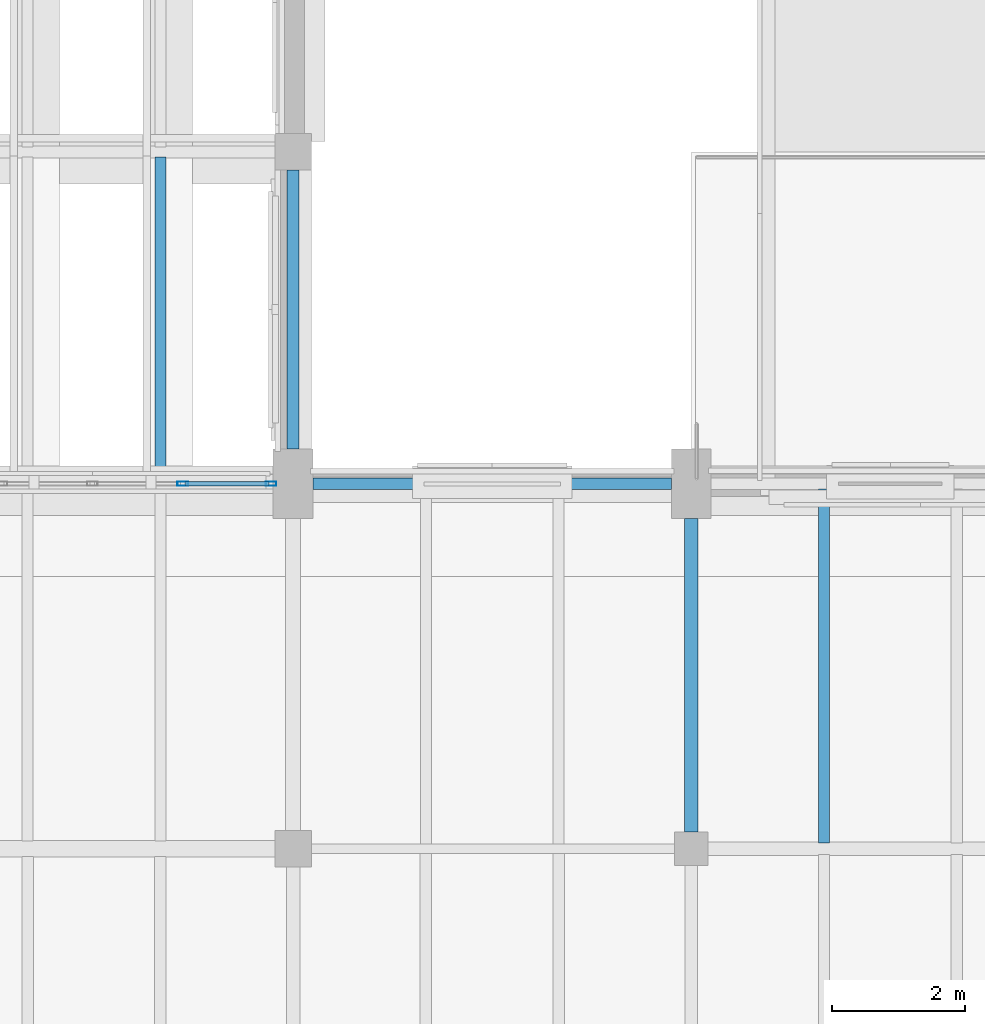
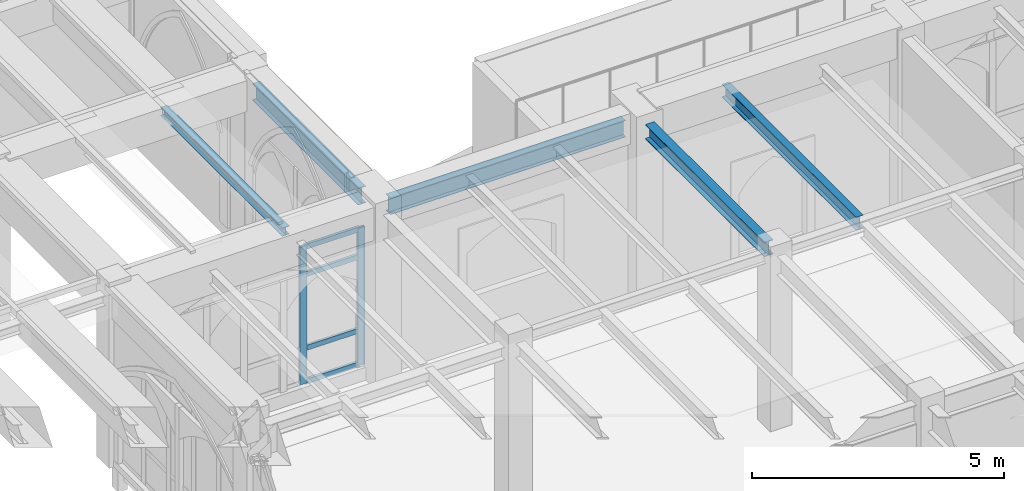
# One storey, part 55 of 127: 6 members, 5 beams, 1 element without a shape of its own.
"""IFC4 building model written with IfcOpenShell, lengths in metres."""

from ifc_helpers import new_model, si_unit, direction, frame, origin, origin_2d, place, context, subcontext, project, spatial, hollow_rectangle, i_section, extrude, material, layer, layer_set, material_profile, profile_set, type_object, element, aggregate, save


model = new_model("IFC4")

# Units and contexts
model_context = context("Model", 3, precision=1e-05, world=origin(), true_north=direction((0.0, 1.0)))
body_context = subcontext(model_context, "Body", "Model", "MODEL_VIEW")
ifc_project = project(units=[si_unit("LENGTHUNIT", "METRE"), si_unit("AREAUNIT", "SQUARE_METRE"), si_unit("VOLUMEUNIT", "CUBIC_METRE"), si_unit("PLANEANGLEUNIT", "RADIAN"), si_unit("MASSUNIT", "GRAM", prefix="KILO")], contexts=[model_context])

# Site, building, storey
site_placement = place(None, origin())
site = spatial("IfcSite", under=ifc_project, at=site_placement, CompositionType="ELEMENT")
building_placement = place(site_placement, origin())
building = spatial("IfcBuilding", under=site, at=building_placement, Name="Cumevento Cable Car Station", CompositionType="ELEMENT")
storey_placement = place(building_placement, frame((0.0, 0.0, 4.5)))
storey = spatial("IfcBuildingStorey", under=building, at=storey_placement, Name="L02", CompositionType="ELEMENT", Elevation=4.5)

# Curtain wall, members
ifc_material_1 = material(Name="Anodised Bronze Aluminium AW-6063-T6", Category="aluminium")
ifc_layer = layer(ifc_material_1, 0.22607421875)
ifc_layer_set = layer_set([ifc_layer], Name="Anodised Bronze Aluminium AW-6063-T6")
curtain_wall_type = type_object("IfcCurtainWallType", Name="Lancet Curtain Wall CW-12 1490", PredefinedType="NOTDEFINED", material=ifc_layer_set)
curtain_wall_placement = place(storey_placement, origin())
curtain_wall = element("IfcCurtainWall", 1, at=curtain_wall_placement, inside=storey, type_object=curtain_wall_type, Name="Lancet Curtain Wall CW-12 L02 #59", PredefinedType="NOTDEFINED")
ifc_material_2 = material(Name="Anodised Bronze Aluminium AW-6063-T6", Category="aluminium")
ifc_material_profile_1 = material_profile(ifc_material_2, hollow_rectangle(XDim=0.06494140625, YDim=0.159912109375, WallThickness=0.00390625, at=origin_2d()), Name="ALUM65x160x4")
ifc_profile_set_1 = profile_set([ifc_material_profile_1], Name="Anodised Bronze Aluminium AW-6063-T6")
member_type_1 = type_object("IfcMemberType", Name="Curtain Mullion CWM-01 ALUM65x160x4", PredefinedType="MULLION", material=ifc_profile_set_1)
member_1_placement = place(storey_placement, frame((68.33740234375, 56.5, 0.31005859375), z_axis=(0.0, 0.0, 1.0), x_axis=(0.0, 1.0, 0.0)))
member_1 = element("IfcMember", 2, at=member_1_placement, type_object=member_type_1, Name="CW-12 mullion 4", PredefinedType="MULLION", context=body_context, shape_type="SweptSolid", body=[
    extrude(hollow_rectangle(XDim=0.06494140625, YDim=0.159912109375, WallThickness=0.00390625, at=origin_2d()), origin(), (0.0, 0.0, 1.0), 3.3369140625),
])
member_2_placement = place(storey_placement, frame((69.66748046875, 56.5, 0.31005859375), z_axis=(0.0, 0.0, 1.0), x_axis=(0.0, 1.0, 0.0)))
member_2 = element("IfcMember", 3, at=member_2_placement, type_object=member_type_1, Name="CW-12 mullion 5", PredefinedType="MULLION", context=body_context, shape_type="SweptSolid", body=[
    extrude(hollow_rectangle(XDim=0.06494140625, YDim=0.159912109375, WallThickness=0.00390625, at=origin_2d()), origin(), (0.0, 0.0, 1.0), 3.3369140625),
])
ifc_material_3 = material(Name="Anodised Bronze Aluminium AW-6063-T6", Category="aluminium")
ifc_material_profile_2 = material_profile(ifc_material_3, hollow_rectangle(XDim=0.06494140625, YDim=0.1201171875, WallThickness=0.00390625, at=origin_2d()), Name="ALUT65x120x4")
ifc_profile_set_2 = profile_set([ifc_material_profile_2], Name="Anodised Bronze Aluminium AW-6063-T6")
member_type_2 = type_object("IfcMemberType", Name="Curtain Transom CWT-01 ALUT65x120x4", PredefinedType="USERDEFINED", material=ifc_profile_set_2)
member_3_placement = place(storey_placement, frame((68.3701171875, 56.5, 0.342529296875), z_axis=(1.0, 0.0, 0.0), x_axis=(0.0, 1.0, 0.0)))
member_3 = element("IfcMember", 4, at=member_3_placement, type_object=member_type_2, Name="CW-12 transom 4.1", ObjectType="TRANSOM", PredefinedType="USERDEFINED", context=body_context, shape_type="SweptSolid", body=[
    extrude(hollow_rectangle(XDim=0.06494140625, YDim=0.1201171875, WallThickness=0.00390625, at=origin_2d()), origin(), (0.0, 0.0, 1.0), 1.264892578125),
])
member_4_placement = place(storey_placement, frame((68.3701171875, 56.5, 1.159912109375), z_axis=(1.0, 0.0, 0.0), x_axis=(0.0, 1.0, 0.0)))
member_4 = element("IfcMember", 5, at=member_4_placement, type_object=member_type_2, Name="CW-12 transom 4.2", ObjectType="TRANSOM", PredefinedType="USERDEFINED", context=body_context, shape_type="SweptSolid", body=[
    extrude(hollow_rectangle(XDim=0.06494140625, YDim=0.1201171875, WallThickness=0.00390625, at=origin_2d()), origin(), (0.0, 0.0, 1.0), 1.264892578125),
])
member_5_placement = place(storey_placement, frame((68.3701171875, 56.5, 2.947021484375), z_axis=(1.0, 0.0, 0.0), x_axis=(0.0, 1.0, 0.0)))
member_5 = element("IfcMember", 6, at=member_5_placement, type_object=member_type_2, Name="CW-12 transom 4.3", ObjectType="TRANSOM", PredefinedType="USERDEFINED", context=body_context, shape_type="SweptSolid", body=[
    extrude(hollow_rectangle(XDim=0.06494140625, YDim=0.1201171875, WallThickness=0.00390625, at=origin_2d()), origin(), (0.0, 0.0, 1.0), 1.264892578125),
])
member_6_placement = place(storey_placement, frame((68.3701171875, 56.5, 3.614501953125), z_axis=(1.0, 0.0, 0.0), x_axis=(0.0, 1.0, 0.0)))
member_6 = element("IfcMember", 7, at=member_6_placement, type_object=member_type_2, Name="CW-12 transom 4.4", ObjectType="TRANSOM", PredefinedType="USERDEFINED", context=body_context, shape_type="SweptSolid", body=[
    extrude(hollow_rectangle(XDim=0.06494140625, YDim=0.1201171875, WallThickness=0.00390625, at=origin_2d()), origin(), (0.0, 0.0, 1.0), 1.264892578125),
])
aggregate(curtain_wall, [member_1, member_2, member_3, member_4, member_5, member_6])

# Beams
ifc_material_4 = material(Name="Steel ASTM A572 Grade 50", Category="steel")
ifc_material_profile_3 = material_profile(ifc_material_4, i_section(OverallWidth=0.205078125, OverallDepth=0.35400390625, WebThickness=0.009521484375, FlangeThickness=0.016845703125, at=origin_2d()), Name="W360x79.0")
ifc_profile_set_3 = profile_set([ifc_material_profile_3], Name="Steel ASTM A572 Grade 50")
beam_type_1 = type_object("IfcBeamType", Name="Structural Beam BM-05 W360x79.0", PredefinedType="BEAM", material=ifc_profile_set_3)
beam_1_placement = place(storey_placement, frame((76.0, 51.25, 4.0869140625), z_axis=(0.0, 1.0, 0.0), x_axis=(-1.0, 0.0, 0.0)))
element("IfcBeam", 8, at=beam_1_placement, inside=storey, type_object=beam_type_1, Name="Beam BM-05 L02 #606", PredefinedType="BEAM", context=body_context, shape_type="SweptSolid", body=[
    extrude(i_section(OverallWidth=0.205078125, OverallDepth=0.35400390625, WebThickness=0.009521484375, FlangeThickness=0.016845703125, at=origin_2d()), origin(), (0.0, 0.0, 1.0), 4.72509765625),
])
ifc_material_5 = material(Name="Steel ASTM A572 Grade 50", Category="steel")
ifc_material_profile_4 = material_profile(ifc_material_5, i_section(OverallWidth=0.1669921875, OverallDepth=0.31689453125, WebThickness=0.007568359375, FlangeThickness=0.01318359375, at=origin_2d()), Name="W310x52.0")
ifc_profile_set_4 = profile_set([ifc_material_profile_4], Name="Steel ASTM A572 Grade 50")
beam_type_2 = type_object("IfcBeamType", Name="Structural Joist JS-02 W310x52.0", PredefinedType="JOIST", material=ifc_profile_set_4)
beam_2_placement = place(storey_placement, frame((78.0, 51.089599609375, 4.10546875), z_axis=(0.0, 1.0, 0.0), x_axis=(-1.0, 0.0, 0.0)))
element("IfcBeam", 9, at=beam_2_placement, inside=storey, type_object=beam_type_2, Name="Composite Floor Joist JS-02 L02 #827", PredefinedType="JOIST", context=body_context, shape_type="SweptSolid", body=[
    extrude(i_section(OverallWidth=0.1669921875, OverallDepth=0.31689453125, WebThickness=0.007568359375, FlangeThickness=0.01318359375, at=origin_2d()), origin(), (0.0, 0.0, 1.0), 5.33349609375),
])
ifc_material_6 = material(Name="Steel ASTM A572 Grade 50", Category="steel")
ifc_material_profile_5 = material_profile(ifc_material_6, i_section(OverallWidth=0.1650390625, OverallDepth=0.200927734375, WebThickness=0.006103515625, FlangeThickness=0.01025390625, at=origin_2d()), Name="W200x35.9")
ifc_profile_set_5 = profile_set([ifc_material_profile_5], Name="Steel ASTM A572 Grade 50")
beam_type_3 = type_object("IfcBeamType", Name="Structural Joist JS-04 W200x35.9", PredefinedType="JOIST", material=ifc_profile_set_5)
beam_3_placement = place(storey_placement, frame((68.0, 56.583984375, 4.069580078125), z_axis=(0.0, 1.0, 0.0), x_axis=(-1.0, 0.0, 0.0)))
element("IfcBeam", 10, at=beam_3_placement, inside=storey, type_object=beam_type_3, Name="Composite Floor Joist JS-04 L02 #864", PredefinedType="JOIST", context=body_context, shape_type="SweptSolid", body=[
    extrude(i_section(OverallWidth=0.1650390625, OverallDepth=0.200927734375, WebThickness=0.006103515625, FlangeThickness=0.01025390625, at=origin_2d()), origin(), (0.0, 0.0, 1.0), 4.838134765625),
])
ifc_material_7 = material(Name="Steel ASTM A572 Grade 50", Category="steel")
ifc_material_profile_6 = material_profile(ifc_material_7, i_section(OverallWidth=0.177978515625, OverallDepth=0.406982421875, WebThickness=0.0078125, FlangeThickness=0.0126953125, at=origin_2d()), Name="W410x60.0")
ifc_profile_set_6 = profile_set([ifc_material_profile_6], Name="Steel ASTM A572 Grade 50")
beam_type_4 = type_object("IfcBeamType", Name="Structural Spandrel SP-01 W410x60.0", PredefinedType="SPANDREL", material=ifc_profile_set_6)
beam_4_placement = place(storey_placement, frame((70.300048828125, 56.5, 3.966552734375), z_axis=(1.0, 0.0, 0.0), x_axis=(0.0, 1.0, 0.0)))
element("IfcBeam", 11, at=beam_4_placement, inside=storey, type_object=beam_type_4, Name="Beam SP-01 L02 #600", PredefinedType="SPANDREL", context=body_context, shape_type="SweptSolid", body=[
    extrude(i_section(OverallWidth=0.177978515625, OverallDepth=0.406982421875, WebThickness=0.0078125, FlangeThickness=0.0126953125, at=origin_2d()), origin(), (0.0, 0.0, 1.0), 5.39990234375),
])
beam_5_placement = place(storey_placement, frame((70.0, 57.02490234375, 3.966552734375), z_axis=(0.0, 1.0, 0.0), x_axis=(-1.0, 0.0, 0.0)))
element("IfcBeam", 12, at=beam_5_placement, inside=storey, type_object=beam_type_4, Name="Beam SP-01 L02 #648", PredefinedType="SPANDREL", context=body_context, shape_type="SweptSolid", body=[
    extrude(i_section(OverallWidth=0.177978515625, OverallDepth=0.406982421875, WebThickness=0.0078125, FlangeThickness=0.0126953125, at=origin_2d()), origin(), (0.0, 0.0, 1.0), 4.2001953125),
])

save(model, "model.ifc")
